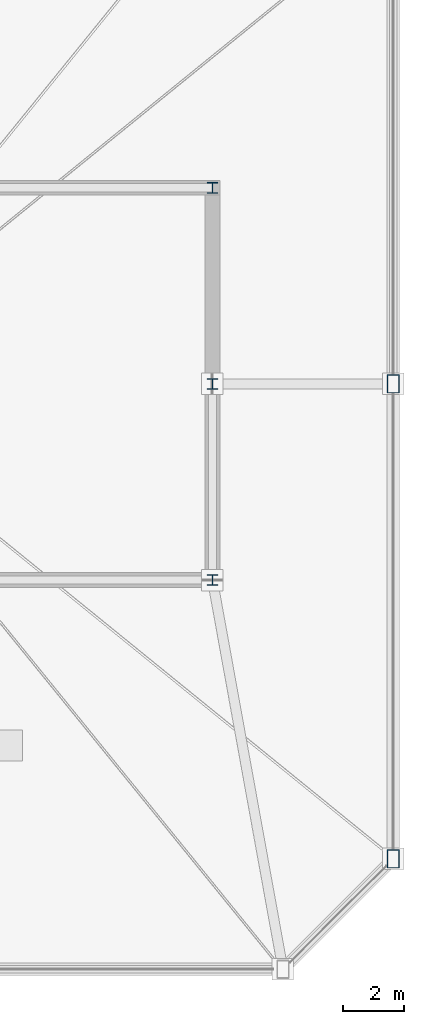
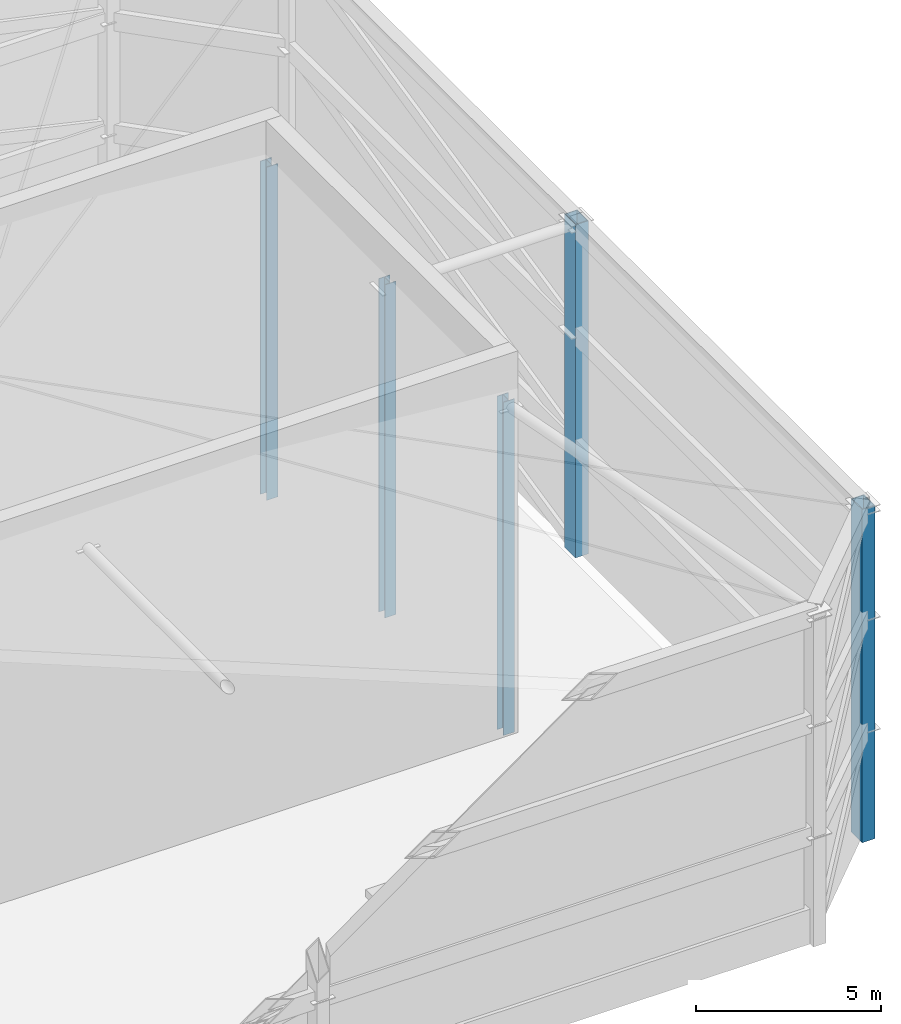
# One storey, part 2 of 6: 5 columns.
"""IFC4 building model written with IfcOpenShell, lengths in metres."""

from ifc_helpers import new_model, si_unit, direction, frame, origin, origin_2d, place, context, subcontext, project, spatial, hollow_rectangle, i_section, extrude, source, transform, mapped, material, material_profile, profile_set, type_object, element, save


model = new_model("IFC4")

# Units and contexts
model_context = context("Model", 3, precision=1e-05, world=origin(), true_north=direction((0.0, 1.0)))
body_context = subcontext(model_context, "Body", "Model", "MODEL_VIEW")
ifc_project = project(units=[si_unit("LENGTHUNIT", "METRE"), si_unit("AREAUNIT", "SQUARE_METRE"), si_unit("VOLUMEUNIT", "CUBIC_METRE"), si_unit("PLANEANGLEUNIT", "RADIAN"), si_unit("MASSUNIT", "GRAM", prefix="KILO"), si_unit("THERMODYNAMICTEMPERATUREUNIT", "KELVIN"), si_unit("POWERUNIT", "WATT")], contexts=[model_context])

# Site, building, storey
site_placement = place(None, origin())
site = spatial("IfcSite", under=ifc_project, at=site_placement, CompositionType="ELEMENT")
building_placement = place(site_placement, origin())
building = spatial("IfcBuilding", under=site, at=building_placement, Name="Yuzanri Waterfront Tower", CompositionType="ELEMENT")
storey_placement = place(building_placement, frame((0.0, 0.0, 363.800048828125)))
storey = spatial("IfcBuildingStorey", under=building, at=storey_placement, Name="RF", CompositionType="ELEMENT", Elevation=363.800048828125)

# Columns
ifc_material_1 = material(Name="Steel Q355B", Category="steel")
ifc_material_profile_1 = material_profile(ifc_material_1, hollow_rectangle(XDim=0.39990234375, YDim=0.60009765625, WallThickness=0.02392578125, at=origin_2d()), Name="RHS 600x400x24")
ifc_profile_set_1 = profile_set([ifc_material_profile_1], Name="Steel Q355B")
column_type_1 = type_object("IfcColumnType", Name="Crown Frame Post Q355B RHS 600x400x24", PredefinedType="COLUMN", material=ifc_profile_set_1)
shared_shape_1 = source(origin(), body_context, "Body", "SweptSolid", [
    extrude(hollow_rectangle(XDim=0.39990234375, YDim=0.60009765625, WallThickness=0.02392578125, at=origin_2d()), origin(), (0.0, 0.0, 1.0), 11.0),
])
for number, where, z_axis, x_axis, name in (
    (1, (56.10009765625, 10.300048828125, 0.0), (0.0, 0.0, 1.0), (1.0, 0.0, 0.0), "RF CROWN FRAME Perimeter Post CE1"),
    (2, (56.10009765625, 25.800048828125, 0.0), (0.0, 0.0, 1.0), (1.0, 0.0, 0.0), "RF CROWN FRAME Perimeter Post CE2"),
):
    element("IfcColumn", number, at=place(storey_placement, frame(where, z_axis=z_axis, x_axis=x_axis)), inside=storey, type_object=column_type_1, Name=name, PredefinedType="COLUMN", context=body_context, shape_type="MappedRepresentation", body=[
        mapped(shared_shape_1, transform((0.0, 0.0, 0.0), scale=1.0)),
    ])
ifc_material_2 = material(Name="Steel Q355B", Category="steel")
ifc_material_profile_2 = material_profile(ifc_material_2, i_section(OverallWidth=0.35009765625, OverallDepth=0.35009765625, WebThickness=0.011962890625, FlangeThickness=0.01904296875, at=origin_2d()), Name="HW 350x350x12x19")
ifc_profile_set_2 = profile_set([ifc_material_profile_2], Name="Steel Q355B")
column_type_2 = type_object("IfcColumnType", Name="Core Post Q355B HW 350x350x12x19", PredefinedType="COLUMN", material=ifc_profile_set_2)
shared_shape_2 = source(origin(), body_context, "Body", "SweptSolid", [
    extrude(i_section(OverallWidth=0.35009765625, OverallDepth=0.35009765625, WebThickness=0.011962890625, FlangeThickness=0.01904296875, at=origin_2d()), origin(), (0.0, 0.0, 1.0), 11.0),
])
for number, where, z_axis, x_axis, name in (
    (3, (50.199951171875, 19.39990234375, 0.0), (0.0, 0.0, 1.0), (1.0, 0.0, 0.0), "RF Crown Core Post CP3"),
    (4, (50.199951171875, 25.800048828125, 0.0), (0.0, 0.0, 1.0), (1.0, 0.0, 0.0), "RF Crown Core Post CP5"),
    (5, (50.199951171875, 32.199951171875, 0.0), (0.0, 0.0, 1.0), (1.0, 0.0, 0.0), "RF Crown Core Post CP8"),
):
    element("IfcColumn", number, at=place(storey_placement, frame(where, z_axis=z_axis, x_axis=x_axis)), inside=storey, type_object=column_type_2, Name=name, PredefinedType="COLUMN", context=body_context, shape_type="MappedRepresentation", body=[
        mapped(shared_shape_2, transform((0.0, 0.0, 0.0), scale=1.0)),
    ])

save(model, "model.ifc")
